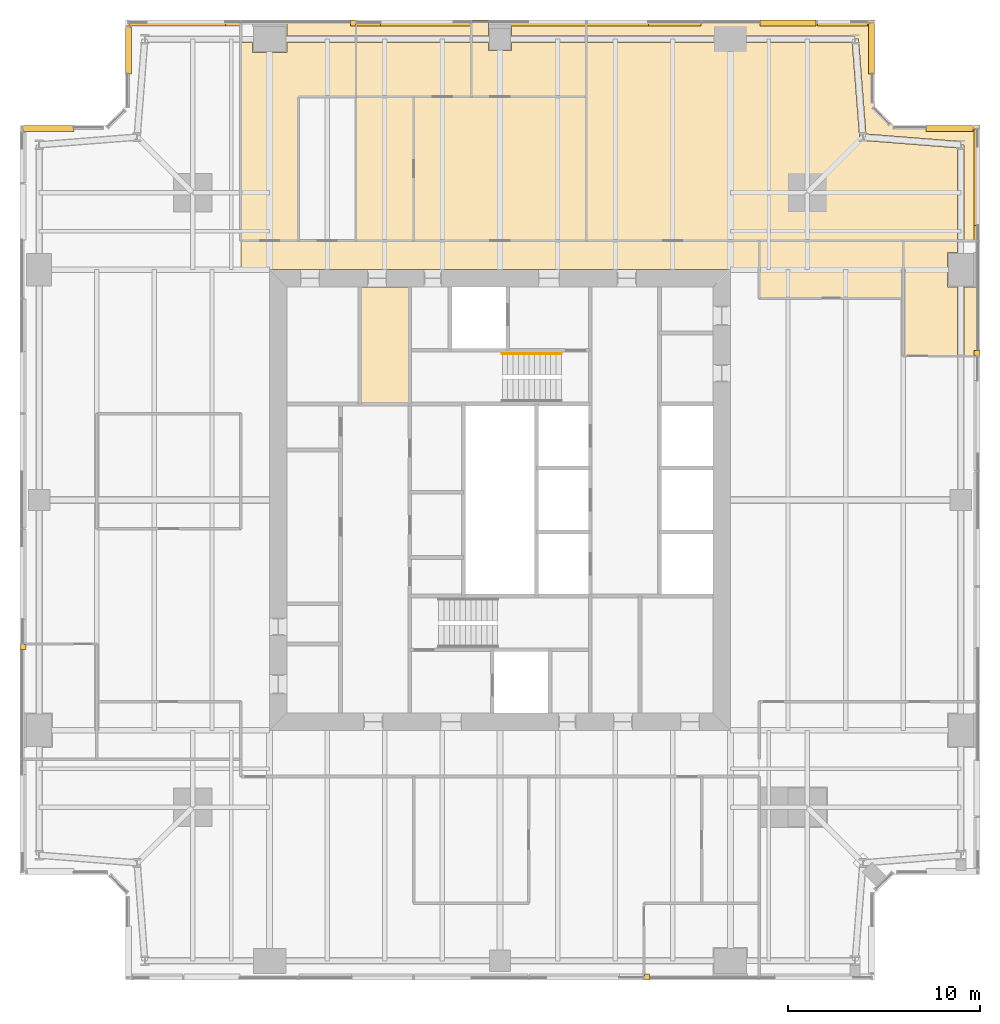
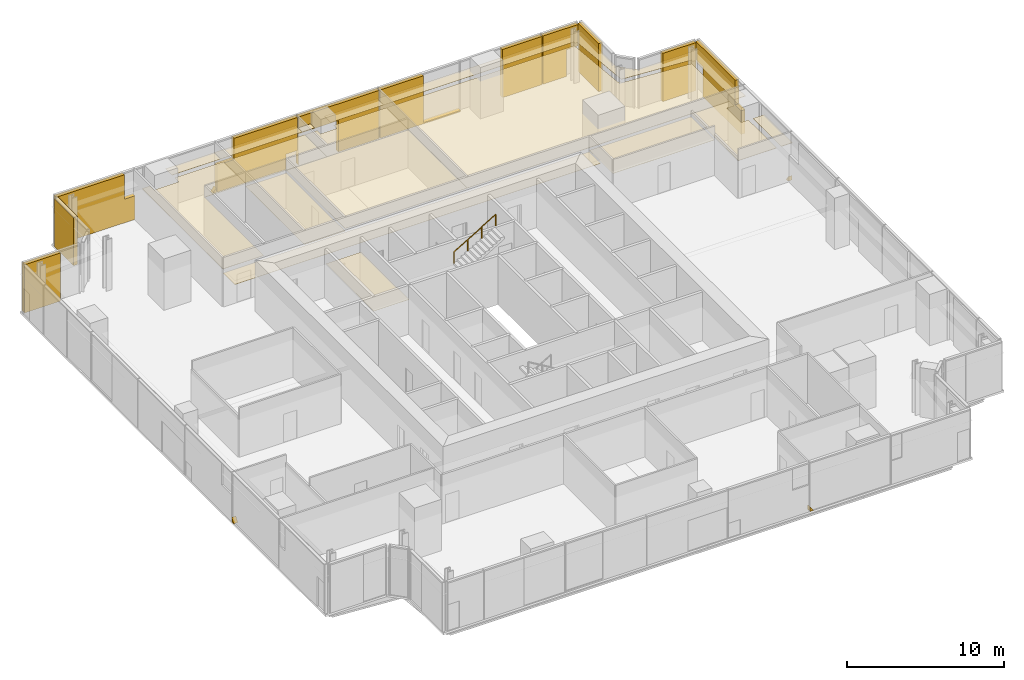
# One storey, part 15 of 15: 31 coverings, 1 railing.
"""IFC4 building model written with IfcOpenShell, lengths in metres."""

from ifc_helpers import new_model, si_unit, direction, frame, origin, origin_2d, place, context, subcontext, project, spatial, polyline, circle, outline, extrude, material, layer, layer_set, type_object, element, save


model = new_model("IFC4")

# Units and contexts
model_context = context("Model", 3, precision=1e-05, world=origin(), true_north=direction((0.0, 1.0)))
body_context = subcontext(model_context, "Body", "Model", "MODEL_VIEW")
ifc_project = project(units=[si_unit("LENGTHUNIT", "METRE"), si_unit("AREAUNIT", "SQUARE_METRE"), si_unit("VOLUMEUNIT", "CUBIC_METRE"), si_unit("PLANEANGLEUNIT", "RADIAN"), si_unit("MASSUNIT", "GRAM", prefix="KILO")], contexts=[model_context])

# Site, building, storey
site_placement = place(None, origin())
site = spatial("IfcSite", under=ifc_project, at=site_placement, CompositionType="ELEMENT")
building_placement = place(site_placement, origin())
building = spatial("IfcBuilding", under=site, at=building_placement, Name="Fenwick Lantern Interchange", CompositionType="ELEMENT")
storey_placement = place(building_placement, frame((0.0, 0.0, 209.800048828125)))
storey = spatial("IfcBuildingStorey", under=building, at=storey_placement, Name="L49", CompositionType="ELEMENT", Elevation=209.800048828125)

# Coverings
ifc_material_1 = material(Name="Mineral fibre acoustic tile on suspended grid")
ifc_layer_1 = layer(ifc_material_1, 0.02001953125)
ifc_layer_set_1 = layer_set([ifc_layer_1], Name="ACOUSTIC TILE CEILING 20")
covering_type_1 = type_object("IfcCoveringType", Name="ACOUSTIC TILE CEILING 20", PredefinedType="CEILING", material=ifc_layer_set_1)
covering_1_placement = place(storey_placement, frame((0.0, 0.0, 2.89990234375)))
element("IfcCovering", 1, at=covering_1_placement, inside=storey, type_object=covering_type_1, Name="Meeting room ceiling", PredefinedType="CEILING", context=body_context, shape_type="SweptSolid", body=[
    extrude(outline(polyline([(46.0, 32.5), (48.82763671875, 32.5), (48.82763671875, 36.10009765625), (48.300048828125, 36.10009765625), (48.300048828125, 37.89990234375), (48.82763671875, 37.89990234375), (48.82763671875, 38.5), (46.0, 38.5), (46.0, 32.5)])), origin(), (0.0, 0.0, 1.0), 0.02001953125),
])
covering_2_placement = place(storey_placement, frame((0.0, 0.0, 2.89990234375)))
element("IfcCovering", 2, at=covering_2_placement, inside=storey, type_object=covering_type_1, Name="Meeting room ceiling", PredefinedType="CEILING", context=body_context, shape_type="SweptSolid", body=[
    extrude(outline(polyline([(49.17236328125, 32.5), (50.0, 32.5), (50.0, 36.10009765625), (49.17236328125, 36.10009765625), (49.17236328125, 32.5)])), origin(), (0.0, 0.0, 1.0), 0.02001953125),
])
covering_3_placement = place(storey_placement, frame((0.0, 0.0, 2.89990234375)))
element("IfcCovering", 3, at=covering_3_placement, inside=storey, type_object=covering_type_1, Name="Meeting room ceiling", PredefinedType="CEILING", context=body_context, shape_type="SweptSolid", body=[
    extrude(outline(polyline([(29.5, 46.0), (29.5, 48.82763671875), (25.60009765625, 48.82763671875), (25.60009765625, 48.39990234375), (24.39990234375, 48.39990234375), (24.39990234375, 48.82763671875), (23.5, 48.82763671875), (23.5, 46.0), (29.5, 46.0)])), origin(), (0.0, 0.0, 1.0), 0.02001953125),
])
covering_4_placement = place(storey_placement, frame((0.0, 0.0, 2.89990234375)))
element("IfcCovering", 4, at=covering_4_placement, inside=storey, type_object=covering_type_1, Name="Meeting room ceiling", PredefinedType="CEILING", context=body_context, shape_type="SweptSolid", body=[
    extrude(outline(polyline([(29.5, 49.17236328125), (29.5, 50.0), (25.60009765625, 50.0), (25.60009765625, 49.17236328125), (29.5, 49.17236328125)])), origin(), (0.0, 0.0, 1.0), 0.02001953125),
])
covering_5_placement = place(storey_placement, frame((0.0, 0.0, 2.89990234375)))
element("IfcCovering", 5, at=covering_5_placement, inside=storey, type_object=covering_type_1, Name="Meeting room ceiling", PredefinedType="CEILING", context=body_context, shape_type="SweptSolid", body=[
    extrude(outline(polyline([(23.5, 50.0), (23.5, 49.17236328125), (24.39990234375, 49.17236328125), (24.39990234375, 50.0), (23.5, 50.0)])), origin(), (0.0, 0.0, 1.0), 0.02001953125),
])
covering_6_placement = place(storey_placement, frame((0.0, 0.0, 2.89990234375)))
element("IfcCovering", 6, at=covering_6_placement, inside=storey, type_object=covering_type_1, Name="Meeting room ceiling", PredefinedType="CEILING", context=body_context, shape_type="SweptSolid", body=[
    extrude(outline(polyline([(23.5, 46.0), (23.5, 48.82763671875), (17.5, 48.82763671875), (17.5, 46.0), (23.5, 46.0)])), origin(), (0.0, 0.0, 1.0), 0.02001953125),
])
covering_7_placement = place(storey_placement, frame((0.0, 0.0, 2.89990234375)))
element("IfcCovering", 7, at=covering_7_placement, inside=storey, type_object=covering_type_1, Name="Meeting room ceiling", PredefinedType="CEILING", context=body_context, shape_type="SweptSolid", body=[
    extrude(outline(polyline([(17.5, 50.0), (17.5, 49.17236328125), (23.5, 49.17236328125), (23.5, 50.0), (17.5, 50.0)])), origin(), (0.0, 0.0, 1.0), 0.02001953125),
])
covering_8_placement = place(storey_placement, frame((0.0, 0.0, 2.89990234375)))
element("IfcCovering", 8, at=covering_8_placement, inside=storey, type_object=covering_type_1, Name="Open office ceiling", PredefinedType="CEILING", context=body_context, shape_type="SweptSolid", body=[
    extrude(outline(polyline([(29.5, 38.5), (48.82763671875, 38.5), (48.82763671875, 43.340576171875), (43.886474609375, 43.72802734375), (43.89990234375, 43.89990234375), (43.72802734375, 43.886474609375), (43.340576171875, 48.82763671875), (37.0, 48.82763671875), (29.5, 48.82763671875), (29.5, 38.5)])), origin(), (0.0, 0.0, 1.0), 0.02001953125),
])
covering_9_placement = place(storey_placement, frame((0.0, 0.0, 2.89990234375)))
element("IfcCovering", 9, at=covering_9_placement, inside=storey, type_object=covering_type_1, Name="Open office ceiling", PredefinedType="CEILING", context=body_context, shape_type="SweptSolid", body=[
    extrude(outline(polyline([(44.5, 50.0), (29.5, 50.0), (29.5, 49.17236328125), (37.0, 49.17236328125), (43.5, 49.17236328125), (43.5, 49.0), (43.671875, 49.013427734375), (44.060302734375, 44.060302734375), (49.013427734375, 43.671875), (49.0, 43.5), (49.17236328125, 43.5), (49.17236328125, 38.5), (50.0, 38.5), (50.0, 44.5), (45.5, 44.5), (44.5, 45.5), (44.5, 50.0)])), origin(), (0.0, 0.0, 1.0), 0.02001953125),
])
covering_10_placement = place(storey_placement, frame((0.0, 0.0, 2.89990234375)))
element("IfcCovering", 10, at=covering_10_placement, inside=storey, type_object=covering_type_1, Name="Meeting room ceiling", PredefinedType="CEILING", context=body_context, shape_type="SweptSolid", body=[
    extrude(outline(polyline([(12.10009765625, 48.300048828125), (12.10009765625, 48.82763671875), (11.5, 48.82763671875), (11.5, 38.5), (14.5, 38.5), (14.5, 46.0), (17.5, 46.0), (17.5, 48.82763671875), (13.89990234375, 48.82763671875), (13.89990234375, 48.300048828125), (12.10009765625, 48.300048828125)])), origin(), (0.0, 0.0, 1.0), 0.02001953125),
])
covering_11_placement = place(storey_placement, frame((0.0, 0.0, 2.89990234375)))
element("IfcCovering", 11, at=covering_11_placement, inside=storey, type_object=covering_type_1, Name="Meeting room ceiling", PredefinedType="CEILING", context=body_context, shape_type="SweptSolid", body=[
    extrude(outline(polyline([(13.89990234375, 50.0), (13.89990234375, 49.17236328125), (17.5, 49.17236328125), (17.5, 50.0), (13.89990234375, 50.0)])), origin(), (0.0, 0.0, 1.0), 0.02001953125),
])
ifc_material_2 = material(Name="Granite cladding, warm grey flamed finish, on aluminium carrier frame", Category="masonry")
ifc_layer_2 = layer(ifc_material_2, 0.300048828125)
ifc_layer_set_2 = layer_set([ifc_layer_2], Name="BRACE CASING PANEL 300")
covering_type_2 = type_object("IfcCoveringType", Name="BRACE CASING PANEL 300", PredefinedType="CLADDING", material=ifc_layer_set_2)
for number, where, z_axis, x_axis, name in (
    (12, (5.60009765625, 0.10009765625, 0.0), (0.0, 0.0, 1.0), (1.0, 0.0, 0.0), "Brace casing 01 bay 05a"),
    (13, (49.89990234375, 5.60009765625, 0.0), (0.0, 0.0, 1.0), (0.0, 1.0, 0.0), "Brace casing 05 bay 05a"),
):
    element("IfcCovering", number, at=place(storey_placement, frame(where, z_axis=z_axis, x_axis=x_axis)), inside=storey, type_object=covering_type_2, Name=name, PredefinedType="CLADDING", context=body_context, shape_type="SweptSolid", body=[
        extrude(outline(polyline([(26.9326171875, 0.0), (27.195556640625, 0.0), (26.9326171875, 0.3505859375), (26.9326171875, 0.0)])), frame((0.0, 0.2001953125, 0.0), z_axis=(0.0, -1.0, 0.0), x_axis=(1.0, 0.0, 0.0)), (0.0, 0.0, 1.0), 0.300048828125),
    ])
covering_12_placement = place(storey_placement, frame((49.89990234375, 5.60009765625, 0.0), z_axis=(0.0, 0.0, 1.0), x_axis=(0.0, 1.0, 0.0)))
element("IfcCovering", 14, at=covering_12_placement, inside=storey, type_object=covering_type_2, Name="Brace casing 05 bay 06a", PredefinedType="CLADDING", context=body_context, shape_type="SweptSolid", body=[
    extrude(outline(polyline([(32.9326171875, 0.0), (37.7890625, 0.0), (37.7890625, 2.33837890625), (38.735107421875, 2.33837890625), (38.735107421875, 3.75), (33.702392578125, 3.75), (33.702392578125, 1.843994140625), (32.9326171875, 1.843994140625), (32.9326171875, 0.0)])), frame((0.0, 0.2001953125, 0.0), z_axis=(0.0, -1.0, 0.0), x_axis=(1.0, 0.0, 0.0)), (0.0, 0.0, 1.0), 0.300048828125),
])
covering_13_placement = place(storey_placement, frame((49.89990234375, 44.39990234375, 0.0), z_axis=(0.0, 0.0, 1.0), x_axis=(-1.0, 0.0, 0.0)))
element("IfcCovering", 15, at=covering_13_placement, inside=storey, type_object=covering_type_2, Name="Brace casing 06 bay 00a", PredefinedType="CLADDING", context=body_context, shape_type="SweptSolid", body=[
    extrude(outline(polyline([(0.264892578125, 0.0), (2.699951171875, 0.0), (2.699951171875, 3.75), (0.264892578125, 3.75), (0.264892578125, 0.0)])), frame((0.0, 0.2001953125, 0.0), z_axis=(0.0, -1.0, 0.0), x_axis=(1.0, 0.0, 0.0)), (0.0, 0.0, 1.0), 0.300048828125),
])
covering_14_placement = place(storey_placement, frame((44.39990234375, 45.45849609375, 0.0), z_axis=(0.0, 0.0, 1.0), x_axis=(0.0, 1.0, 0.0)))
element("IfcCovering", 16, at=covering_14_placement, inside=storey, type_object=covering_type_2, Name="Brace casing 08 bay 00a", PredefinedType="CLADDING", context=body_context, shape_type="SweptSolid", body=[
    extrude(outline(polyline([(1.741455078125, 0.0), (4.37646484375, 0.0), (4.37646484375, 3.75), (1.741455078125, 3.75), (1.741455078125, 0.0)])), frame((0.0, 0.2001953125, 0.0), z_axis=(0.0, -1.0, 0.0), x_axis=(1.0, 0.0, 0.0)), (0.0, 0.0, 1.0), 0.300048828125),
])
covering_15_placement = place(storey_placement, frame((44.39990234375, 49.89990234375, 0.0), z_axis=(0.0, 0.0, 1.0), x_axis=(-1.0, 0.0, 0.0)))
element("IfcCovering", 17, at=covering_15_placement, inside=storey, type_object=covering_type_2, Name="Brace casing 09 bay 00a", PredefinedType="CLADDING", context=body_context, shape_type="SweptSolid", body=[
    extrude(outline(polyline([(1.114990234375, 0.0), (2.867431640625, 0.0), (2.867431640625, 3.75), (0.264892578125, 3.75), (0.264892578125, 2.082275390625), (1.114990234375, 2.082275390625), (1.114990234375, 0.0)])), frame((0.0, 0.2001953125, 0.0), z_axis=(0.0, -1.0, 0.0), x_axis=(1.0, 0.0, 0.0)), (0.0, 0.0, 1.0), 0.300048828125),
])
covering_16_placement = place(storey_placement, frame((44.39990234375, 49.89990234375, 0.0), z_axis=(0.0, 0.0, 1.0), x_axis=(-1.0, 0.0, 0.0)))
element("IfcCovering", 18, at=covering_16_placement, inside=storey, type_object=covering_type_2, Name="Brace casing 09 bay 01a", PredefinedType="CLADDING", context=body_context, shape_type="SweptSolid", body=[
    extrude(outline(polyline([(2.9326171875, 0.0), (5.84814453125, 0.0), (5.84814453125, 3.75), (2.9326171875, 3.75), (2.9326171875, 0.0)])), frame((0.0, 0.2001953125, 0.0), z_axis=(0.0, -1.0, 0.0), x_axis=(1.0, 0.0, 0.0)), (0.0, 0.0, 1.0), 0.300048828125),
])
covering_17_placement = place(storey_placement, frame((44.39990234375, 49.89990234375, 0.0), z_axis=(0.0, 0.0, 1.0), x_axis=(-1.0, 0.0, 0.0)))
element("IfcCovering", 19, at=covering_17_placement, inside=storey, type_object=covering_type_2, Name="Brace casing 09 bay 02a", PredefinedType="CLADDING", context=body_context, shape_type="SweptSolid", body=[
    extrude(outline(polyline([(8.9326171875, 0.0), (14.867431640625, 0.0), (14.867431640625, 3.75), (11.672607421875, 3.75), (11.672607421875, 0.090576171875), (8.9326171875, 0.090576171875), (8.9326171875, 0.0)])), frame((0.0, 0.2001953125, 0.0), z_axis=(0.0, -1.0, 0.0), x_axis=(1.0, 0.0, 0.0)), (0.0, 0.0, 1.0), 0.300048828125),
])
covering_18_placement = place(storey_placement, frame((44.39990234375, 49.89990234375, 0.0), z_axis=(0.0, 0.0, 1.0), x_axis=(-1.0, 0.0, 0.0)))
element("IfcCovering", 20, at=covering_18_placement, inside=storey, type_object=covering_type_2, Name="Brace casing 09 bay 03a", PredefinedType="CLADDING", context=body_context, shape_type="SweptSolid", body=[
    extrude(outline(polyline([(14.9326171875, 0.0), (17.9345703125, 0.0), (17.9345703125, 2.43994140625), (20.864501953125, 2.43994140625), (20.864501953125, 0.0), (20.867431640625, 0.0), (20.867431640625, 3.75), (14.9326171875, 3.75), (14.9326171875, 0.0)])), frame((0.0, 0.2001953125, 0.0), z_axis=(0.0, -1.0, 0.0), x_axis=(1.0, 0.0, 0.0)), (0.0, 0.0, 1.0), 0.300048828125),
])
covering_19_placement = place(storey_placement, frame((44.39990234375, 49.89990234375, 0.0), z_axis=(0.0, 0.0, 1.0), x_axis=(-1.0, 0.0, 0.0)))
element("IfcCovering", 21, at=covering_19_placement, inside=storey, type_object=covering_type_2, Name="Brace casing 09 bay 04a", PredefinedType="CLADDING", context=body_context, shape_type="SweptSolid", body=[
    extrude(outline(polyline([(21.8125, 0.0), (26.867431640625, 0.0), (26.867431640625, 2.0966796875), (25.623046875, 2.0966796875), (25.623046875, 3.75), (20.9326171875, 3.75), (20.9326171875, 1.17724609375), (21.8125, 1.17724609375), (21.8125, 0.0)])), frame((0.0, 0.2001953125, 0.0), z_axis=(0.0, -1.0, 0.0), x_axis=(1.0, 0.0, 0.0)), (0.0, 0.0, 1.0), 0.300048828125),
])
covering_20_placement = place(storey_placement, frame((44.39990234375, 49.89990234375, 0.0), z_axis=(0.0, 0.0, 1.0), x_axis=(-1.0, 0.0, 0.0)))
element("IfcCovering", 22, at=covering_20_placement, inside=storey, type_object=covering_type_2, Name="Brace casing 09 bay 05a", PredefinedType="CLADDING", context=body_context, shape_type="SweptSolid", body=[
    extrude(outline(polyline([(26.9326171875, 0.0), (27.195556640625, 0.0), (26.9326171875, 0.3505859375), (26.9326171875, 0.0)])), frame((0.0, 0.2001953125, 0.0), z_axis=(0.0, -1.0, 0.0), x_axis=(1.0, 0.0, 0.0)), (0.0, 0.0, 1.0), 0.300048828125),
])
covering_21_placement = place(storey_placement, frame((44.39990234375, 49.89990234375, 0.0), z_axis=(0.0, 0.0, 1.0), x_axis=(-1.0, 0.0, 0.0)))
element("IfcCovering", 23, at=covering_21_placement, inside=storey, type_object=covering_type_2, Name="Brace casing 09 bay 06a", PredefinedType="CLADDING", context=body_context, shape_type="SweptSolid", body=[
    extrude(outline(polyline([(32.9326171875, 0.0), (37.7890625, 0.0), (37.7890625, 2.33837890625), (38.735107421875, 2.33837890625), (38.735107421875, 3.75), (33.702392578125, 3.75), (33.702392578125, 1.843994140625), (32.9326171875, 1.843994140625), (32.9326171875, 0.0)])), frame((0.0, 0.2001953125, 0.0), z_axis=(0.0, -1.0, 0.0), x_axis=(1.0, 0.0, 0.0)), (0.0, 0.0, 1.0), 0.300048828125),
])
covering_22_placement = place(storey_placement, frame((5.60009765625, 49.89990234375, 0.0), z_axis=(0.0, 0.0, 1.0), x_axis=(0.0, -1.0, 0.0)))
element("IfcCovering", 24, at=covering_22_placement, inside=storey, type_object=covering_type_2, Name="Brace casing 10 bay 00a", PredefinedType="CLADDING", context=body_context, shape_type="SweptSolid", body=[
    extrude(outline(polyline([(0.264892578125, 0.0), (2.699951171875, 0.0), (2.699951171875, 3.75), (0.264892578125, 3.75), (0.264892578125, 0.0)])), frame((0.0, 0.2001953125, 0.0), z_axis=(0.0, -1.0, 0.0), x_axis=(1.0, 0.0, 0.0)), (0.0, 0.0, 1.0), 0.300048828125),
])
covering_23_placement = place(storey_placement, frame((4.54150390625, 44.39990234375, 0.0), z_axis=(0.0, 0.0, 1.0), x_axis=(-1.0, 0.0, 0.0)))
element("IfcCovering", 25, at=covering_23_placement, inside=storey, type_object=covering_type_2, Name="Brace casing 12 bay 00a", PredefinedType="CLADDING", context=body_context, shape_type="SweptSolid", body=[
    extrude(outline(polyline([(1.741455078125, 0.0), (4.37646484375, 0.0), (4.37646484375, 3.75), (1.741455078125, 3.75), (1.741455078125, 0.0)])), frame((0.0, 0.2001953125, 0.0), z_axis=(0.0, -1.0, 0.0), x_axis=(1.0, 0.0, 0.0)), (0.0, 0.0, 1.0), 0.300048828125),
])
covering_24_placement = place(storey_placement, frame((0.10009765625, 44.39990234375, 0.0), z_axis=(0.0, 0.0, 1.0), x_axis=(0.0, -1.0, 0.0)))
element("IfcCovering", 26, at=covering_24_placement, inside=storey, type_object=covering_type_2, Name="Brace casing 13 bay 05a", PredefinedType="CLADDING", context=body_context, shape_type="SweptSolid", body=[
    extrude(outline(polyline([(26.9326171875, 0.0), (27.195556640625, 0.0), (26.9326171875, 0.3505859375), (26.9326171875, 0.0)])), frame((0.0, 0.2001953125, 0.0), z_axis=(0.0, -1.0, 0.0), x_axis=(1.0, 0.0, 0.0)), (0.0, 0.0, 1.0), 0.300048828125),
])

# Railing
ifc_material_3 = material(Name="Stainless steel handrail", Category="steel")
railing_type = type_object("IfcRailingType", Name="HANDRAIL 900", PredefinedType="HANDRAIL", material=ifc_material_3)
railing_placement = place(storey_placement, frame((25.1201171875, 32.6259765625, 2.16650390625)))
element("IfcRailing", 27, at=railing_placement, inside=storey, type_object=railing_type, Name="L49/STAIR/ST2/HR2", PredefinedType="HANDRAIL", context=body_context, shape_type="SweptSolid", body=[
    extrude(circle(Radius=0.02392578125, at=origin_2d()), frame((0.0, 0.0, 0.8759765625), z_axis=(0.859260807169, 0.0, 0.511537745687), x_axis=(0.0, 1.0, 0.0)), (0.0, 0.0, 1.0), 3.584228515625),
    extrude(circle(Radius=0.02099609375, at=origin_2d()), origin(), (0.0, 0.0, 1.0), 0.851806640625),
    extrude(circle(Radius=0.02099609375, at=origin_2d()), frame((1.026611328125, 0.0, 0.611083984375)), (0.0, 0.0, 1.0), 0.851806640625),
    extrude(circle(Radius=0.02099609375, at=origin_2d()), frame((2.05322265625, 0.0, 1.222412109375)), (0.0, 0.0, 1.0), 0.851806640625),
    extrude(circle(Radius=0.02099609375, at=origin_2d()), frame((3.079833984375, 0.0, 1.83349609375)), (0.0, 0.0, 1.0), 0.851806640625),
])

# Coverings
ifc_material_4 = material(Name="Moisture resistant gypsum board on suspended frame, painted")
ifc_layer_3 = layer(ifc_material_4, 0.014892578125)
ifc_layer_set_3 = layer_set([ifc_layer_3], Name="MOISTURE RESISTANT CEILING 15")
covering_type_3 = type_object("IfcCoveringType", Name="MOISTURE RESISTANT CEILING 15", PredefinedType="CEILING", material=ifc_layer_set_3)
covering_25_placement = place(storey_placement, frame((0.0, 0.0, 2.599853515625)))
element("IfcCovering", 28, at=covering_25_placement, inside=storey, type_object=covering_type_3, Name="Men's WC ceiling", PredefinedType="CEILING", context=body_context, shape_type="SweptSolid", body=[
    extrude(outline(polyline([(20.300048828125, 36.10009765625), (17.699951171875, 36.10009765625), (17.699951171875, 30.0), (20.300048828125, 30.0), (20.300048828125, 36.10009765625)])), origin(), (0.0, 0.0, 1.0), 0.01513671875),
])
covering_26_placement = place(storey_placement, frame((0.0, 0.0, 2.699951171875)))
element("IfcCovering", 29, at=covering_26_placement, inside=storey, type_object=covering_type_3, Name="Pantry ceiling", PredefinedType="CEILING", context=body_context, shape_type="SweptSolid", body=[
    extrude(outline(polyline([(46.0, 35.5), (46.0, 38.5), (38.5, 38.5), (38.5, 35.5), (46.0, 35.5)])), origin(), (0.0, 0.0, 1.0), 0.014892578125),
])
covering_27_placement = place(storey_placement, frame((0.0, 0.0, 2.699951171875)))
element("IfcCovering", 30, at=covering_27_placement, inside=storey, type_object=covering_type_3, Name="Pantry ceiling", PredefinedType="CEILING", context=body_context, shape_type="SweptSolid", body=[
    extrude(outline(polyline([(20.5, 46.0), (17.5, 46.0), (17.5, 38.5), (20.5, 38.5), (20.5, 46.0)])), origin(), (0.0, 0.0, 1.0), 0.014892578125),
])
ifc_material_5 = material(Name="Gypsum plasterboard on suspended frame, painted")
ifc_layer_4 = layer(ifc_material_5, 0.014892578125)
ifc_layer_set_4 = layer_set([ifc_layer_4], Name="PLASTERBOARD CEILING 15")
covering_type_4 = type_object("IfcCoveringType", Name="PLASTERBOARD CEILING 15", PredefinedType="CEILING", material=ifc_layer_set_4)
covering_28_placement = place(storey_placement, frame((0.0, 0.0, 2.89990234375)))
element("IfcCovering", 31, at=covering_28_placement, inside=storey, type_object=covering_type_4, Name="Reception ceiling", PredefinedType="CEILING", context=body_context, shape_type="SweptSolid", body=[
    extrude(outline(polyline([(29.5, 46.0), (20.5, 46.0), (20.5, 38.5), (29.5, 38.5), (29.5, 46.0)])), origin(), (0.0, 0.0, 1.0), 0.01513671875),
])
covering_29_placement = place(storey_placement, frame((0.0, 0.0, 2.599853515625)))
element("IfcCovering", 32, at=covering_29_placement, inside=storey, type_object=covering_type_4, Name="Corridor ceiling", PredefinedType="CEILING", context=body_context, shape_type="SweptSolid", body=[
    extrude(outline(polyline([(11.5, 38.5), (11.5, 37.0), (38.5, 37.0), (38.5, 38.5), (11.5, 38.5)])), origin(), (0.0, 0.0, 1.0), 0.01513671875),
])

save(model, "model.ifc")
